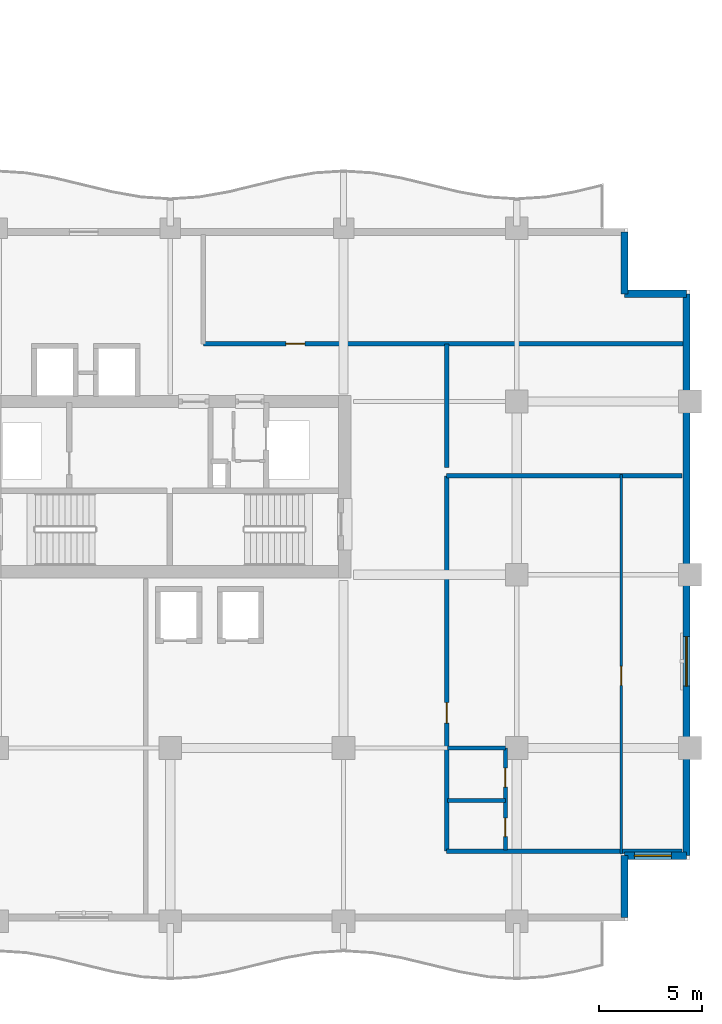
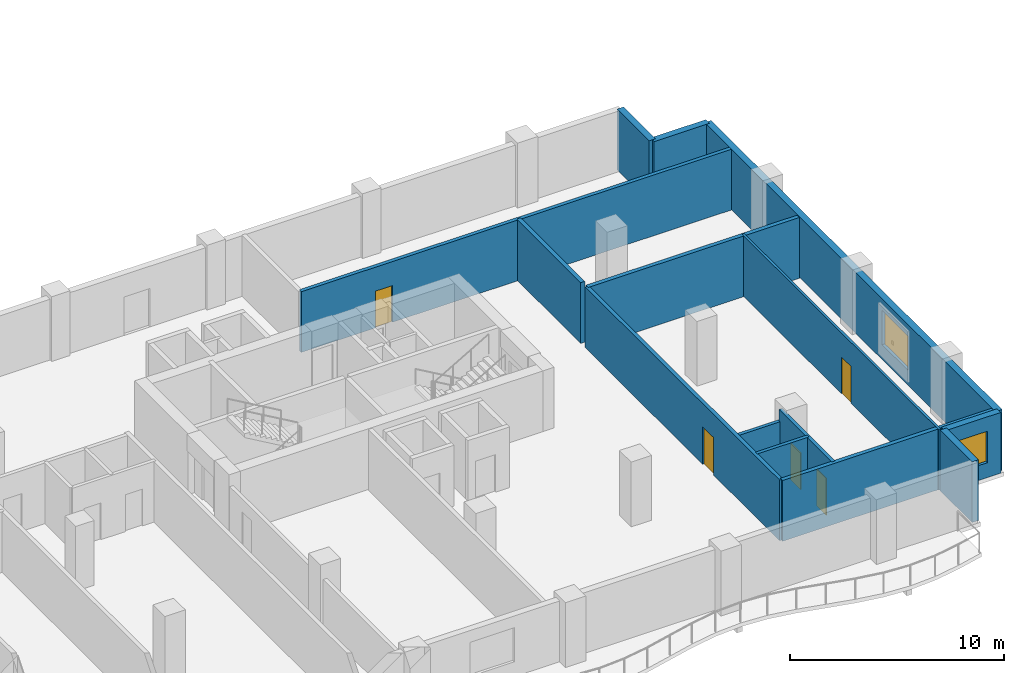
# One storey, part 12 of 19: 14 walls, 5 doors, 2 windows, 7 openings.
"""IFC4 building model written with IfcOpenShell, lengths in metres."""

from ifc_helpers import new_model, si_unit, direction, frame, frame_2d, origin, place, context, subcontext, project, spatial, rectangle, extrude, material, layer, layer_set, type_object, element, fill, save


model = new_model("IFC4")

# Units and contexts
model_context = context("Model", 3, precision=1e-05, world=origin(), true_north=direction((0.0, 1.0)))
body_context = subcontext(model_context, "Body", "Model", "MODEL_VIEW")
ifc_project = project(units=[si_unit("LENGTHUNIT", "METRE"), si_unit("AREAUNIT", "SQUARE_METRE"), si_unit("VOLUMEUNIT", "CUBIC_METRE"), si_unit("PLANEANGLEUNIT", "RADIAN"), si_unit("MASSUNIT", "GRAM", prefix="KILO")], contexts=[model_context])

# Site, building, storey
site_placement = place(None, origin())
site = spatial("IfcSite", under=ifc_project, at=site_placement, CompositionType="ELEMENT")
building_placement = place(site_placement, origin())
building = spatial("IfcBuilding", under=site, at=building_placement, Name="Koriwani Terraces Tower", CompositionType="ELEMENT")
storey_placement = place(building_placement, frame((0.0, 0.0, 190.199951171875)))
storey = spatial("IfcBuildingStorey", under=building, at=storey_placement, Name="L46", CompositionType="ELEMENT", Elevation=190.199951171875)

# Wall, opening, door
ifc_material_1 = material(Name="Autoclaved Cellular Concrete Blockwork", Category="masonry")
ifc_layer_1 = layer(ifc_material_1, 0.199951171875, Name="Autoclaved Cellular Concrete Blockwork")
ifc_layer_set_1 = layer_set([ifc_layer_1], Name="Autoclaved Cellular Concrete Blockwork")
wall_type_1 = type_object("IfcWallType", Name="WALL_CORRIDOR_200", PredefinedType="PARTITIONING", material=ifc_layer_set_1)
wall_1_placement = place(storey_placement, frame((63.800048828125, 3.39990234375, 0.0), z_axis=(0.0, 0.0, 1.0), x_axis=(0.0, 1.0, 0.0)))
wall_1 = element("IfcWall", 1, at=wall_1_placement, inside=storey, type_object=wall_type_1, Name="L46 Interior Wall WGB-L46-SETIP-W", PredefinedType="PARTITIONING", context=body_context, shape_type="SweptSolid", body=[
    extrude(rectangle(XDim=18.2001953125, YDim=0.199951171875, at=frame_2d((9.10009765625, 0.0))), origin(), (0.0, 0.0, 1.0), 3.469970703125),
])
opening_1_placement = place(wall_1_placement, frame((6.199951171875, 0.0, 0.0)))
opening_1 = element("IfcOpeningElement", 2, at=opening_1_placement, cuts=wall_1, Name="Opening D-05", PredefinedType="OPENING", context=body_context, shape_type="SweptSolid", body=[
    extrude(rectangle(XDim=1.0, YDim=2.14990234375, at=frame_2d((0.5, 1.074951171875))), frame((0.0, 0.10986328125, 0.0), z_axis=(0.0, -1.0, 0.0), x_axis=(1.0, 0.0, 0.0)), (0.0, 0.0, 1.0), 0.219970703125),
])
ifc_material_2 = material(Name="Architectural Oak Fire Door", Category="wood")
door_type_1 = type_object("IfcDoorType", Name="DOOR_SUITE_ENTRY_1000X2150", OperationType="NOTDEFINED", PredefinedType="DOOR", material=ifc_material_2)
door_1_placement = place(opening_1_placement, origin())
door_1 = element("IfcDoor", 3, at=door_1_placement, inside=storey, type_object=door_type_1, Name="Grand Apartment 46ET Entrance Door", OperationType="SINGLE_SWING_RIGHT", OverallHeight=2.14990234375, OverallWidth=1.0, PredefinedType="DOOR", context=body_context, shape_type="SweptSolid", body=[
    extrude(rectangle(XDim=1.0, YDim=2.14990234375, at=frame_2d((0.5, 1.074951171875))), frame((0.0, 0.02490234375, 0.0), z_axis=(0.0, -1.0, 0.0), x_axis=(1.0, 0.0, 0.0)), (0.0, 0.0, 1.0), 0.050048828125),
])
fill(opening_1, door_1)

wall_2_placement = place(storey_placement, frame((52.0, 28.0, 0.0), z_axis=(0.0, 0.0, 1.0), x_axis=(1.0, 0.0, 0.0)))
wall_2 = element("IfcWall", 4, at=wall_2_placement, inside=storey, type_object=wall_type_1, Name="L46 Interior Wall WSET2-S-L46", PredefinedType="PARTITIONING", context=body_context, shape_type="SweptSolid", body=[
    extrude(rectangle(XDim=23.25, YDim=0.199951171875, at=frame_2d((11.625, 0.0))), origin(), (0.0, 0.0, 1.0), 3.469970703125),
])
opening_2_placement = place(wall_2_placement, frame((4.0, 0.0, 0.0)))
opening_2 = element("IfcOpeningElement", 5, at=opening_2_placement, cuts=wall_2, Name="Opening D-06", PredefinedType="OPENING", context=body_context, shape_type="SweptSolid", body=[
    extrude(rectangle(XDim=0.919921875, YDim=2.10009765625, at=frame_2d((0.4599609375, 1.050048828125))), frame((0.0, 0.10986328125, 0.0), z_axis=(0.0, -1.0, 0.0), x_axis=(1.0, 0.0, 0.0)), (0.0, 0.0, 1.0), 0.219970703125),
])
door_type_2 = type_object("IfcDoorType", Name="DOOR_ROOM_INT_920X2100", OperationType="NOTDEFINED", PredefinedType="DOOR", material=ifc_material_2)
door_2_placement = place(opening_2_placement, origin())
door_2 = element("IfcDoor", 6, at=door_2_placement, inside=storey, type_object=door_type_2, Name="L46 East Court Salon Door", OperationType="SINGLE_SWING_RIGHT", OverallHeight=2.10009765625, OverallWidth=0.919921875, PredefinedType="DOOR", context=body_context, shape_type="SweptSolid", body=[
    extrude(rectangle(XDim=0.919921875, YDim=2.10009765625, at=frame_2d((0.4599609375, 1.050048828125))), frame((0.0, 0.02490234375, 0.0), z_axis=(0.0, -1.0, 0.0), x_axis=(1.0, 0.0, 0.0)), (0.0, 0.0, 1.0), 0.050048828125),
])
fill(opening_2, door_2)

# Walls
ifc_layer_2 = layer(ifc_material_1, 0.219970703125, Name="Autoclaved Cellular Concrete Blockwork")
ifc_layer_set_2 = layer_set([ifc_layer_2], Name="Autoclaved Cellular Concrete Blockwork")
wall_type_2 = type_object("IfcWallType", Name="WALL_DEMISING_220", PredefinedType="PARTITIONING", material=ifc_layer_set_2)
for number, where, z_axis, x_axis, name in (
    (7, (63.800048828125, 3.39990234375, 0.0), (0.0, 0.0, 1.0), (1.0, 0.0, 0.0), "L46 Interior Wall WGB-L46-SETIP-S"),
    (8, (63.800048828125, 21.60009765625, 0.0), (0.0, 0.0, 1.0), (1.0, 0.0, 0.0), "L46 Interior Wall WGB-L46-SETIP-N"),
):
    element("IfcWall", number, at=place(storey_placement, frame(where, z_axis=z_axis, x_axis=x_axis)), inside=storey, type_object=wall_type_2, Name=name, PredefinedType="PARTITIONING", context=body_context, shape_type="SweptSolid", body=[
        extrude(rectangle(XDim=11.419921875, YDim=0.219970703125, at=frame_2d((5.7099609375, 0.0))), origin(), (0.0, 0.0, 1.0), 3.469970703125),
    ])
wall_3_placement = place(storey_placement, frame((63.800048828125, 22.0, 0.0), z_axis=(0.0, 0.0, 1.0), x_axis=(0.0, 1.0, 0.0)))
element("IfcWall", 9, at=wall_3_placement, inside=storey, type_object=wall_type_2, Name="L46 Interior Wall WSET2-SW-L46", PredefinedType="PARTITIONING", context=body_context, shape_type="SweptSolid", body=[
    extrude(rectangle(XDim=6.0, YDim=0.219970703125, at=frame_2d((3.0, 0.0))), origin(), (0.0, 0.0, 1.0), 3.469970703125),
])
ifc_material_3 = material(Name="Concrete C50/60", Category="concrete")
ifc_layer_3 = layer(ifc_material_3, 0.35009765625, Name="Concrete C50/60")
ifc_layer_set_3 = layer_set([ifc_layer_3], Name="Concrete C50/60")
wall_type_3 = type_object("IfcWallType", Name="WALL_EXT_BRUTALIST_350", PredefinedType="STANDARD", material=ifc_layer_set_3)
for number, where, z_axis, x_axis, name in (
    (10, (72.425048828125, 33.425048828125, 0.0), (0.0, 0.0, 1.0), (0.0, -1.0, 0.0), "L46 Fair-Faced Brutalist Exterior Wall (N10)"),
    (11, (72.425048828125, 30.425048828125, 0.0), (0.0, 0.0, 1.0), (1.0, 0.0, 0.0), "L46 Fair-Faced Brutalist Exterior Wall (N11)"),
):
    element("IfcWall", number, at=place(storey_placement, frame(where, z_axis=z_axis, x_axis=x_axis)), inside=storey, type_object=wall_type_3, Name=name, PredefinedType="STANDARD", context=body_context, shape_type="SweptSolid", body=[
        extrude(rectangle(XDim=3.0, YDim=0.35009765625, at=frame_2d((1.5, 0.0))), origin(), (0.0, 0.0, 1.0), 3.469970703125),
    ])

# Wall, opening, window
wall_4_placement = place(storey_placement, frame((75.425048828125, 30.425048828125, 0.0), z_axis=(0.0, 0.0, 1.0), x_axis=(0.0, -1.0, 0.0)))
wall_4 = element("IfcWall", 12, at=wall_4_placement, inside=storey, type_object=wall_type_3, Name="L46 Fair-Faced Brutalist Exterior Wall (E_TIP)", PredefinedType="STANDARD", context=body_context, shape_type="SweptSolid", body=[
    extrude(rectangle(XDim=27.25, YDim=0.35009765625, at=frame_2d((13.625, 0.0))), origin(), (0.0, 0.0, 1.0), 3.469970703125),
])
opening_3_placement = place(wall_4_placement, frame((16.625, 0.0, 0.85009765625)))
opening_3 = element("IfcOpeningElement", 13, at=opening_3_placement, cuts=wall_4, Name="Opening W-03", PredefinedType="OPENING", context=body_context, shape_type="SweptSolid", body=[
    extrude(rectangle(XDim=2.39990234375, YDim=1.949951171875, at=frame_2d((1.199951171875, 0.97509765625))), frame((0.0, 0.18505859375, 0.0), z_axis=(0.0, -1.0, 0.0), x_axis=(1.0, 0.0, 0.0)), (0.0, 0.0, 1.0), 0.3701171875),
])
ifc_material_4 = material(Name="Tempered Laminated Low-E Glass", Category="glass")
window_type_1 = type_object("IfcWindowType", Name="WIN_RES_LIVING_2400X1950", PartitioningType="DOUBLE_PANEL_VERTICAL", PredefinedType="WINDOW", material=ifc_material_4)
window_1_placement = place(opening_3_placement, origin())
window_1 = element("IfcWindow", 14, at=window_1_placement, inside=storey, type_object=window_type_1, Name="L46 Exterior Window (E_TIP-3)", OverallHeight=1.949951171875, OverallWidth=2.39990234375, PartitioningType="SINGLE_PANEL", PredefinedType="WINDOW", context=body_context, shape_type="SweptSolid", body=[
    extrude(rectangle(XDim=2.39990234375, YDim=1.949951171875, at=frame_2d((1.199951171875, 0.97509765625))), frame((0.0, 0.030029296875, 0.0), z_axis=(0.0, -1.0, 0.0), x_axis=(1.0, 0.0, 0.0)), (0.0, 0.0, 1.0), 0.06005859375),
])
fill(opening_3, window_1)

wall_5_placement = place(storey_placement, frame((75.425048828125, 3.175048828125, 0.0), z_axis=(0.0, 0.0, 1.0), x_axis=(-1.0, 0.0, 0.0)))
wall_5 = element("IfcWall", 15, at=wall_5_placement, inside=storey, type_object=wall_type_3, Name="L46 Fair-Faced Brutalist Exterior Wall (N13)", PredefinedType="STANDARD", context=body_context, shape_type="SweptSolid", body=[
    extrude(rectangle(XDim=3.0, YDim=0.35009765625, at=frame_2d((1.5, 0.0))), origin(), (0.0, 0.0, 1.0), 3.469970703125),
])
opening_4_placement = place(wall_5_placement, frame((0.7275390625, 0.0, 0.85009765625)))
opening_4 = element("IfcOpeningElement", 16, at=opening_4_placement, cuts=wall_5, Name="Opening W-04", PredefinedType="OPENING", context=body_context, shape_type="SweptSolid", body=[
    extrude(rectangle(XDim=1.800048828125, YDim=1.800048828125, at=frame_2d((0.89990234375, 0.89990234375))), frame((0.0, 0.18505859375, 0.0), z_axis=(0.0, -1.0, 0.0), x_axis=(1.0, 0.0, 0.0)), (0.0, 0.0, 1.0), 0.3701171875),
])
window_type_2 = type_object("IfcWindowType", Name="WIN_RES_BED_1800X1800", PartitioningType="DOUBLE_PANEL_VERTICAL", PredefinedType="WINDOW", material=ifc_material_4)
window_2_placement = place(opening_4_placement, origin())
window_2 = element("IfcWindow", 17, at=window_2_placement, inside=storey, type_object=window_type_2, Name="L46 Exterior Window (N13-R61)", OverallHeight=1.800048828125, OverallWidth=1.800048828125, PartitioningType="SINGLE_PANEL", PredefinedType="WINDOW", context=body_context, shape_type="SweptSolid", body=[
    extrude(rectangle(XDim=1.800048828125, YDim=1.800048828125, at=frame_2d((0.89990234375, 0.89990234375))), frame((0.0, 0.030029296875, 0.0), z_axis=(0.0, -1.0, 0.0), x_axis=(1.0, 0.0, 0.0)), (0.0, 0.0, 1.0), 0.06005859375),
])
fill(opening_4, window_2)

# Wall
wall_6_placement = place(storey_placement, frame((72.425048828125, 3.175048828125, 0.0), z_axis=(0.0, 0.0, 1.0), x_axis=(0.0, -1.0, 0.0)))
element("IfcWall", 18, at=wall_6_placement, inside=storey, type_object=wall_type_3, Name="L46 Fair-Faced Brutalist Exterior Wall (N14)", PredefinedType="STANDARD", context=body_context, shape_type="SweptSolid", body=[
    extrude(rectangle(XDim=3.0, YDim=0.35009765625, at=frame_2d((1.5, 0.0))), origin(), (0.0, 0.0, 1.0), 3.469970703125),
])

# Wall, opening, door
ifc_material_5 = material(Name="Fire-Rated Acoustic Gypsum Partition", Category="masonry")
ifc_layer_4 = layer(ifc_material_5, 0.125, Name="Fire-Rated Acoustic Gypsum Partition")
ifc_layer_set_4 = layer_set([ifc_layer_4], Name="Fire-Rated Acoustic Gypsum Partition")
wall_type_4 = type_object("IfcWallType", Name="WALL_INT_125", PredefinedType="PARTITIONING", material=ifc_layer_set_4)
wall_7_placement = place(storey_placement, frame((72.27001953125, 3.25, 0.0), z_axis=(0.0, 0.0, 1.0), x_axis=(0.0, 1.0, 0.0)))
wall_7 = element("IfcWall", 19, at=wall_7_placement, inside=storey, type_object=wall_type_4, Name="L46 Interior Wall WGB-L46-SETIP-BD", PredefinedType="PARTITIONING", context=body_context, shape_type="SweptSolid", body=[
    extrude(rectangle(XDim=18.39990234375, YDim=0.125, at=frame_2d((9.199951171875, 0.0))), origin(), (0.0, 0.0, 1.0), 3.469970703125),
])
opening_5_placement = place(wall_7_placement, frame((8.18994140625, 0.0, 0.0)))
opening_5 = element("IfcOpeningElement", 20, at=opening_5_placement, cuts=wall_7, Name="Opening D-06", PredefinedType="OPENING", context=body_context, shape_type="SweptSolid", body=[
    extrude(rectangle(XDim=0.919921875, YDim=2.10009765625, at=frame_2d((0.4599609375, 1.050048828125))), frame((0.0, 0.072509765625, 0.0), z_axis=(0.0, -1.0, 0.0), x_axis=(1.0, 0.0, 0.0)), (0.0, 0.0, 1.0), 0.14501953125),
])
door_3_placement = place(opening_5_placement, origin())
door_3 = element("IfcDoor", 21, at=door_3_placement, inside=storey, type_object=door_type_2, Name="Grand Apartment 46ET Master Suite Door", OperationType="SINGLE_SWING_LEFT", OverallHeight=2.10009765625, OverallWidth=0.919921875, PredefinedType="DOOR", context=body_context, shape_type="SweptSolid", body=[
    extrude(rectangle(XDim=0.919921875, YDim=2.10009765625, at=frame_2d((0.4599609375, 1.050048828125))), frame((0.0, 0.02490234375, 0.0), z_axis=(0.0, -1.0, 0.0), x_axis=(1.0, 0.0, 0.0)), (0.0, 0.0, 1.0), 0.050048828125),
])
fill(opening_5, door_3)

# Wall, openings, doors
ifc_layer_5 = layer(ifc_material_5, 0.179931640625, Name="Fire-Rated Acoustic Gypsum Partition")
ifc_layer_set_5 = layer_set([ifc_layer_5], Name="Fire-Rated Acoustic Gypsum Partition")
wall_type_5 = type_object("IfcWallType", Name="WALL_PLUMBING_180", PredefinedType="PLUMBINGWALL", material=ifc_layer_set_5)
wall_8_placement = place(storey_placement, frame((66.64990234375, 3.449951171875, 0.0), z_axis=(0.0, 0.0, 1.0), x_axis=(0.0, 1.0, 0.0)))
wall_8 = element("IfcWall", 22, at=wall_8_placement, inside=storey, type_object=wall_type_5, Name="L46 Interior Wall WGB-L46-SETIP-SVB", PredefinedType="PLUMBINGWALL", context=body_context, shape_type="SweptSolid", body=[
    extrude(rectangle(XDim=4.949951171875, YDim=0.179931640625, at=frame_2d((2.47509765625, 0.0))), origin(), (0.0, 0.0, 1.0), 3.469970703125),
])
opening_6_placement = place(wall_8_placement, frame((0.64990234375, 0.0, 0.0)))
opening_6 = element("IfcOpeningElement", 23, at=opening_6_placement, cuts=wall_8, Name="Opening D-07", PredefinedType="OPENING", context=body_context, shape_type="SweptSolid", body=[
    extrude(rectangle(XDim=0.89990234375, YDim=2.10009765625, at=frame_2d((0.449951171875, 1.050048828125))), frame((0.0, 0.10009765625, 0.0), z_axis=(0.0, -1.0, 0.0), x_axis=(1.0, 0.0, 0.0)), (0.0, 0.0, 1.0), 0.199951171875),
])
opening_7_placement = place(wall_8_placement, frame((3.050048828125, 0.0, 0.0)))
opening_7 = element("IfcOpeningElement", 24, at=opening_7_placement, cuts=wall_8, Name="Opening D-06", PredefinedType="OPENING", context=body_context, shape_type="SweptSolid", body=[
    extrude(rectangle(XDim=0.919921875, YDim=2.10009765625, at=frame_2d((0.4599609375, 1.050048828125))), frame((0.0, 0.10009765625, 0.0), z_axis=(0.0, -1.0, 0.0), x_axis=(1.0, 0.0, 0.0)), (0.0, 0.0, 1.0), 0.199951171875),
])
door_type_3 = type_object("IfcDoorType", Name="DOOR_BATH_INT_900X2100", OperationType="NOTDEFINED", PredefinedType="DOOR", material=ifc_material_2)
door_4_placement = place(opening_6_placement, origin())
door_4 = element("IfcDoor", 25, at=door_4_placement, inside=storey, type_object=door_type_3, Name="Grand Apartment 46ET Bathroom Door", OperationType="SINGLE_SWING_LEFT", OverallHeight=2.10009765625, OverallWidth=0.89990234375, PredefinedType="DOOR", context=body_context, shape_type="SweptSolid", body=[
    extrude(rectangle(XDim=0.89990234375, YDim=2.10009765625, at=frame_2d((0.449951171875, 1.050048828125))), frame((0.0, 0.02490234375, 0.0), z_axis=(0.0, -1.0, 0.0), x_axis=(1.0, 0.0, 0.0)), (0.0, 0.0, 1.0), 0.050048828125),
])
fill(opening_6, door_4)
door_5_placement = place(opening_7_placement, origin())
door_5 = element("IfcDoor", 26, at=door_5_placement, inside=storey, type_object=door_type_2, Name="Grand Apartment 46ET Kitchen Door", OperationType="SINGLE_SWING_RIGHT", OverallHeight=2.10009765625, OverallWidth=0.919921875, PredefinedType="DOOR", context=body_context, shape_type="SweptSolid", body=[
    extrude(rectangle(XDim=0.919921875, YDim=2.10009765625, at=frame_2d((0.4599609375, 1.050048828125))), frame((0.0, 0.02490234375, 0.0), z_axis=(0.0, -1.0, 0.0), x_axis=(1.0, 0.0, 0.0)), (0.0, 0.0, 1.0), 0.050048828125),
])
fill(opening_7, door_5)

# Walls
wall_9_placement = place(storey_placement, frame((63.85009765625, 5.85009765625, 0.0), z_axis=(0.0, 0.0, 1.0), x_axis=(1.0, 0.0, 0.0)))
element("IfcWall", 27, at=wall_9_placement, inside=storey, type_object=wall_type_5, Name="L46 Interior Wall WGB-L46-SETIP-SVM", PredefinedType="PLUMBINGWALL", context=body_context, shape_type="SweptSolid", body=[
    extrude(rectangle(XDim=2.7998046875, YDim=0.179931640625, at=frame_2d((1.39990234375, 0.0))), origin(), (0.0, 0.0, 1.0), 3.469970703125),
])
wall_10_placement = place(storey_placement, frame((63.85009765625, 8.39990234375, 0.0), z_axis=(0.0, 0.0, 1.0), x_axis=(1.0, 0.0, 0.0)))
element("IfcWall", 28, at=wall_10_placement, inside=storey, type_object=wall_type_5, Name="L46 Interior Wall WGB-L46-SETIP-SV2", PredefinedType="PLUMBINGWALL", context=body_context, shape_type="SweptSolid", body=[
    extrude(rectangle(XDim=2.7998046875, YDim=0.179931640625, at=frame_2d((1.39990234375, 0.0))), origin(), (0.0, 0.0, 1.0), 2.820068359375),
])

save(model, "model.ifc")
